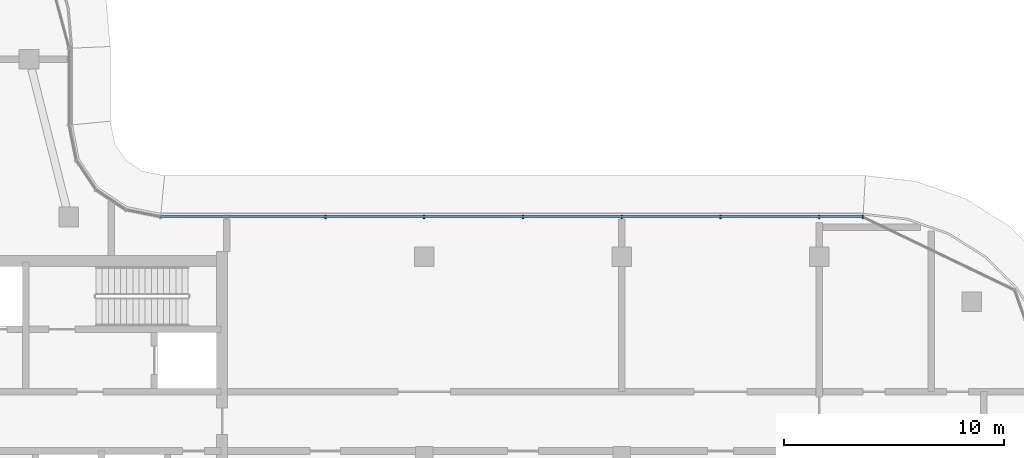
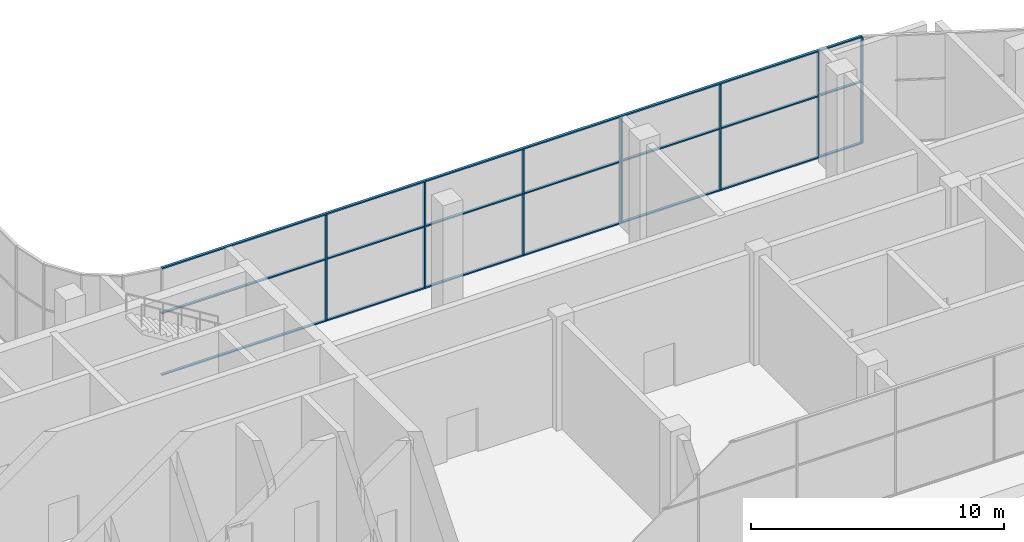
# One storey, part 7 of 23: 10 members, 1 element without a shape of its own.
"""IFC4 building model written with IfcOpenShell, lengths in metres."""

import ifcopenshell
import ifcopenshell.guid

model = None  # the IFC model being written
_history = None  # IfcOwnerHistory: only IFC2X3 demands one
_inside = {}  # id of a spatial element -> (the spatial element, [elements in it])
_under = {}  # id of a project, library or spatial element -> (it, [spatial elements below it])
_declared = {}  # id of a project -> (the project, [libraries it declares])
_typed = {}  # id of a type object -> (the type object, [elements of that type])
_made_of = {}  # id of a material, layer set ... -> (it, [elements and type objects made of it])


def new_model(schema):
    """Start an empty IFC model of exactly this schema.

    Asked for "IFC4X3", IfcOpenShell would pick the latest addendum, in which some entities
    have other attributes; the version numbers below select the first issue.
    IFC2X3 requires an IfcOwnerHistory on every rooted entity: one is made here for all.
    """
    global model, _history
    if schema == "IFC4X3":
        model = ifcopenshell.file(schema_version=(4, 3, 0, 0))
    else:
        model = ifcopenshell.file(schema=schema)
    _inside.clear()
    _under.clear()
    _declared.clear()
    _typed.clear()
    _made_of.clear()
    _history = None
    if model.schema == "IFC2X3":
        org = make("IfcOrganization", Name="unknown")
        user = make(
            "IfcPersonAndOrganization",
            ThePerson=make("IfcPerson", FamilyName="unknown"),
            TheOrganization=org,
        )
        app = make(
            "IfcApplication",
            ApplicationDeveloper=org,
            Version="unknown",
            ApplicationFullName="unknown",
            ApplicationIdentifier="unknown",
        )
        _history = make(
            "IfcOwnerHistory",
            OwningUser=user,
            OwningApplication=app,
            ChangeAction="ADDED",
            CreationDate=0,
        )
    return model


def make(cls, **values):
    """One entity of the class cls with the attributes given. An attribute that is None is left unset."""
    return model.create_entity(
        cls, **{name: value for name, value in values.items() if value is not None}
    )


def rooted(cls, **values):
    """An entity with a GlobalId (a new one), such as an element, a storey or a relation."""
    return make(cls, GlobalId=ifcopenshell.guid.new(), OwnerHistory=_history, **values)


def si_unit(unit_type, name, prefix=None):
    """IfcSIUnit, for example si_unit("LENGTHUNIT", "METRE", prefix="MILLI")."""
    return make("IfcSIUnit", UnitType=unit_type, Prefix=prefix, Name=name)


def assignment(units):
    """IfcUnitAssignment: the units of a project."""
    return None if units is None else make("IfcUnitAssignment", Units=units)


def point(xyz):
    """IfcCartesianPoint."""
    return None if xyz is None else make("IfcCartesianPoint", Coordinates=xyz)


def direction(xyz):
    """IfcDirection."""
    return None if xyz is None else make("IfcDirection", DirectionRatios=xyz)


def frame(location, z_axis=None, x_axis=None):
    """IfcAxis2Placement3D, a coordinate frame: its origin and axes. An axis left out is left unset."""
    return make(
        "IfcAxis2Placement3D",
        Location=point(location),
        Axis=direction(z_axis),
        RefDirection=direction(x_axis),
    )


def frame_2d(location, x_axis=None):
    """IfcAxis2Placement2D, a coordinate frame in the plane: its origin and x axis."""
    return make(
        "IfcAxis2Placement2D", Location=point(location), RefDirection=direction(x_axis)
    )


def origin():
    """The frame at (0, 0, 0) with its axes left unset."""
    return frame((0.0, 0.0, 0.0))


def origin_2d():
    """The frame at (0, 0) in the plane with its x axis left unset."""
    return frame_2d((0.0, 0.0))


def place(relative_to, where):
    """IfcLocalPlacement: puts the frame where relative to a parent placement (None: the world)."""
    return make(
        "IfcLocalPlacement", PlacementRelTo=relative_to, RelativePlacement=where
    )


def context(
    kind, dimensions, precision=None, world=None, true_north=None, identifier=None
):
    """IfcGeometricRepresentationContext, for example the 3D "Model" context."""
    return make(
        "IfcGeometricRepresentationContext",
        ContextIdentifier=identifier,
        ContextType=kind,
        CoordinateSpaceDimension=dimensions,
        Precision=precision,
        WorldCoordinateSystem=world,
        TrueNorth=true_north,
    )


def subcontext(parent, identifier, kind, view, scale=None):
    """IfcGeometricRepresentationSubContext, for example "Body" below "Model"."""
    return make(
        "IfcGeometricRepresentationSubContext",
        ContextIdentifier=identifier,
        ContextType=kind,
        ParentContext=parent,
        TargetScale=scale,
        TargetView=view,
    )


def project(units=None, contexts=None):
    """IfcProject with its units and contexts."""
    return rooted(
        "IfcProject",
        Name="project",
        RepresentationContexts=contexts,
        UnitsInContext=assignment(units),
    )


def spatial(cls, under=None, at=None, **own):
    """A site, building, storey or space (cls), placed at a placement, below another one or the project."""
    s = rooted(cls, ObjectPlacement=at, **own)
    if under is not None:
        _under.setdefault(under.id(), (under, []))[1].append(s)
    return s


def profile(cls, at=None, kind="AREA", **sizes):
    """A parametric profile (cls). Its sizes go by their IFC names, for example OverallWidth=200.0."""
    return make(cls, ProfileType=kind, Position=at, **sizes)


def rectangle(**sizes):
    """IfcRectangleProfileDef."""
    return profile("IfcRectangleProfileDef", **sizes)


def extrude(swept, where, along, depth):
    """IfcExtrudedAreaSolid: the profile swept, set in the frame where, extruded along a direction by depth."""
    return make(
        "IfcExtrudedAreaSolid",
        SweptArea=swept,
        Position=where,
        ExtrudedDirection=direction(along),
        Depth=depth,
    )


def shape(context_of_items, identifier, shape_type, items):
    """IfcShapeRepresentation: the items that make up one representation, for example the "Body"."""
    return make(
        "IfcShapeRepresentation",
        ContextOfItems=context_of_items,
        RepresentationIdentifier=identifier,
        RepresentationType=shape_type,
        Items=items,
    )


def material(Name=None, Category=None):
    """IfcMaterial."""
    return make("IfcMaterial", Name=Name, Category=Category)


def material_profile(
    of_material, cross_section, Name=None, Category=None, Priority=None
):
    """IfcMaterialProfile: a cross section and its material."""
    return make(
        "IfcMaterialProfile",
        Name=Name,
        Material=of_material,
        Profile=cross_section,
        Priority=Priority,
        Category=Category,
    )


def profile_set(profiles, Name=None, composite=None):
    """IfcMaterialProfileSet."""
    return make(
        "IfcMaterialProfileSet",
        Name=Name,
        MaterialProfiles=profiles,
        CompositeProfile=composite,
    )


def made_of(thing, what):
    """Note that an element or type object is made of a material, layer set ...; save() writes the relation."""
    if what is not None:
        _made_of.setdefault(what.id(), (what, []))[1].append(thing)
    return thing


def type_object(cls, material=None, **own):
    """A type object (cls), such as IfcWallType, which elements share."""
    return made_of(rooted(cls, **own), material)


def element(
    cls,
    number,
    at=None,
    inside=None,
    cuts=None,
    type_object=None,
    material=None,
    context=None,
    identifier="Body",
    shape_type=None,
    held_by="IfcProductDefinitionShape",
    body=None,
    shapes=None,
    **own,
):
    """One element of the class cls, such as IfcWall. Its Tag is "e" and its number.

    at: its placement. inside: the storey or other place that contains it. cuts: it is an
    opening in that element (IfcRelVoidsElement). A single representation is given by context,
    identifier, shape_type and body (its items); several are given by shapes. held_by: the class
    of the entity that holds the representations. save() writes the other relations.
    """
    e = rooted(cls, Tag="e%d" % number, ObjectPlacement=at, **own)
    if body is not None:
        shapes = [shape(context, identifier, shape_type, body)]
    if shapes is not None:
        e.Representation = make(held_by, Representations=shapes)
    if inside is not None:
        _inside.setdefault(inside.id(), (inside, []))[1].append(e)
    if cuts is not None:
        rooted(
            "IfcRelVoidsElement", RelatingBuildingElement=cuts, RelatedOpeningElement=e
        )
    if type_object is not None:
        _typed.setdefault(type_object.id(), (type_object, []))[1].append(e)
    return made_of(e, material)


def aggregate(whole, parts):
    """IfcRelAggregates: a whole, such as a stair, and the parts it consists of."""
    return rooted("IfcRelAggregates", RelatingObject=whole, RelatedObjects=parts)


def save(model, path):
    """Write the relations noted so far, then the file.

    IfcRelAggregates (storeys below a building ...), IfcRelContainedInSpatialStructure (elements
    in a storey), IfcRelDefinesByType, IfcRelAssociatesMaterial and IfcRelDeclares: one each for
    every whole, place, type object, material and project.
    """
    for whole, parts in _under.values():
        aggregate(whole, parts)
    for where, things in _inside.values():
        rooted(
            "IfcRelContainedInSpatialStructure",
            RelatedElements=things,
            RelatingStructure=where,
        )
    for kind, things in _typed.values():
        rooted("IfcRelDefinesByType", RelatedObjects=things, RelatingType=kind)
    for what, things in _made_of.values():
        rooted("IfcRelAssociatesMaterial", RelatedObjects=things, RelatingMaterial=what)
    for by, libraries in _declared.values():
        rooted("IfcRelDeclares", RelatingContext=by, RelatedDefinitions=libraries)
    model.write(path)


model = new_model("IFC4")

# Units and contexts
model_context = context("Model", 3, precision=1e-05, world=origin(), true_north=direction((0.0, 1.0)))
body_context = subcontext(model_context, "Body", "Model", "MODEL_VIEW")
ifc_project = project(units=[si_unit("LENGTHUNIT", "METRE"), si_unit("AREAUNIT", "SQUARE_METRE"), si_unit("VOLUMEUNIT", "CUBIC_METRE"), si_unit("PLANEANGLEUNIT", "RADIAN"), si_unit("MASSUNIT", "GRAM", prefix="KILO")], contexts=[model_context])

# Site, building, storey
site_placement = place(None, origin())
site = spatial("IfcSite", under=ifc_project, at=site_placement, CompositionType="ELEMENT")
building_placement = place(site_placement, origin())
building = spatial("IfcBuilding", under=site, at=building_placement, Name="Ogive Portal Towers", CompositionType="ELEMENT")
storey_placement = place(building_placement, frame((0.0, 0.0, 249.39990234375)))
storey = spatial("IfcBuildingStorey", under=building, at=storey_placement, Name="L62", CompositionType="ELEMENT", Elevation=249.39990234375)

# Curtain wall, members
ifc_material_1 = material(Name="Glass, clear low-iron insulated glazing", Category="glass")
curtain_wall_type = type_object("IfcCurtainWallType", Name="CW OBSERVATION WALL", PredefinedType="NOTDEFINED", material=ifc_material_1)
curtain_wall_placement = place(storey_placement, origin())
curtain_wall = element("IfcCurtainWall", 1, at=curtain_wall_placement, inside=storey, type_object=curtain_wall_type, Name="A:L62:f13:cw0", PredefinedType="NOTDEFINED")
ifc_material_2 = material(Name="Aluminium 6063 anodised", Category="aluminium")
ifc_material_profile_1 = material_profile(ifc_material_2, rectangle(XDim=0.159912109375, YDim=0.06005859375, at=origin_2d()), Name="AL 60x160")
ifc_profile_set_1 = profile_set([ifc_material_profile_1], Name="Aluminium 6063 anodised")
member_type_1 = type_object("IfcMemberType", Name="CW MULLION 60x160", PredefinedType="MULLION", material=ifc_profile_set_1)
member_1_placement = place(storey_placement, frame((87.481689453125, 41.320068359375, 0.06005859375), z_axis=(0.0, 0.0, 1.0), x_axis=(0.0, -1.0, 0.0)))
member_1 = element("IfcMember", 2, at=member_1_placement, type_object=member_type_1, Name="mullion", PredefinedType="MULLION", context=body_context, shape_type="SweptSolid", body=[
    extrude(rectangle(XDim=0.159912109375, YDim=0.06005859375, at=origin_2d()), origin(), (0.0, 0.0, 1.0), 5.080078125),
])
member_2_placement = place(storey_placement, frame((85.5, 41.320068359375, 0.06005859375), z_axis=(0.0, 0.0, 1.0), x_axis=(0.0, -1.0, 0.0)))
member_2 = element("IfcMember", 3, at=member_2_placement, type_object=member_type_1, Name="mullion", PredefinedType="MULLION", context=body_context, shape_type="SweptSolid", body=[
    extrude(rectangle(XDim=0.159912109375, YDim=0.06005859375, at=origin_2d()), origin(), (0.0, 0.0, 1.0), 5.080078125),
])
member_3_placement = place(storey_placement, frame((81.0, 41.320068359375, 0.06005859375), z_axis=(0.0, 0.0, 1.0), x_axis=(0.0, -1.0, 0.0)))
member_3 = element("IfcMember", 4, at=member_3_placement, type_object=member_type_1, Name="mullion", PredefinedType="MULLION", context=body_context, shape_type="SweptSolid", body=[
    extrude(rectangle(XDim=0.159912109375, YDim=0.06005859375, at=origin_2d()), origin(), (0.0, 0.0, 1.0), 5.080078125),
])
member_4_placement = place(storey_placement, frame((76.5, 41.320068359375, 0.06005859375), z_axis=(0.0, 0.0, 1.0), x_axis=(0.0, -1.0, 0.0)))
member_4 = element("IfcMember", 5, at=member_4_placement, type_object=member_type_1, Name="mullion", PredefinedType="MULLION", context=body_context, shape_type="SweptSolid", body=[
    extrude(rectangle(XDim=0.159912109375, YDim=0.06005859375, at=origin_2d()), origin(), (0.0, 0.0, 1.0), 5.080078125),
])
member_5_placement = place(storey_placement, frame((72.0, 41.320068359375, 0.06005859375), z_axis=(0.0, 0.0, 1.0), x_axis=(0.0, -1.0, 0.0)))
member_5 = element("IfcMember", 6, at=member_5_placement, type_object=member_type_1, Name="mullion", PredefinedType="MULLION", context=body_context, shape_type="SweptSolid", body=[
    extrude(rectangle(XDim=0.159912109375, YDim=0.06005859375, at=origin_2d()), origin(), (0.0, 0.0, 1.0), 5.080078125),
])
member_6_placement = place(storey_placement, frame((67.5, 41.320068359375, 0.06005859375), z_axis=(0.0, 0.0, 1.0), x_axis=(0.0, -1.0, 0.0)))
member_6 = element("IfcMember", 7, at=member_6_placement, type_object=member_type_1, Name="mullion", PredefinedType="MULLION", context=body_context, shape_type="SweptSolid", body=[
    extrude(rectangle(XDim=0.159912109375, YDim=0.06005859375, at=origin_2d()), origin(), (0.0, 0.0, 1.0), 5.080078125),
])
member_7_placement = place(storey_placement, frame((63.0, 41.320068359375, 0.06005859375), z_axis=(0.0, 0.0, 1.0), x_axis=(0.0, -1.0, 0.0)))
member_7 = element("IfcMember", 8, at=member_7_placement, type_object=member_type_1, Name="mullion", PredefinedType="MULLION", context=body_context, shape_type="SweptSolid", body=[
    extrude(rectangle(XDim=0.159912109375, YDim=0.06005859375, at=origin_2d()), origin(), (0.0, 0.0, 1.0), 5.080078125),
])
ifc_material_profile_2 = material_profile(ifc_material_2, rectangle(XDim=0.1201171875, YDim=0.06005859375, at=origin_2d()), Name="AL 120x60")
ifc_profile_set_2 = profile_set([ifc_material_profile_2], Name="Aluminium 6063 anodised")
member_type_2 = type_object("IfcMemberType", Name="CW TRANSOM 60x120", PredefinedType="USERDEFINED", material=ifc_profile_set_2)
member_8_placement = place(storey_placement, frame((87.481689453125, 41.320068359375, 0.030029296875), z_axis=(-1.0, 0.0, 0.0), x_axis=(0.0, -1.0, 0.0)))
member_8 = element("IfcMember", 9, at=member_8_placement, type_object=member_type_2, Name="transom", ObjectType="TRANSOM", PredefinedType="USERDEFINED", context=body_context, shape_type="SweptSolid", body=[
    extrude(rectangle(XDim=0.1201171875, YDim=0.06005859375, at=origin_2d()), origin(), (0.0, 0.0, 1.0), 31.989501953125),
])
member_9_placement = place(storey_placement, frame((87.481689453125, 41.320068359375, 3.0), z_axis=(-1.0, 0.0, 0.0), x_axis=(0.0, -1.0, 0.0)))
member_9 = element("IfcMember", 10, at=member_9_placement, type_object=member_type_2, Name="transom", ObjectType="TRANSOM", PredefinedType="USERDEFINED", context=body_context, shape_type="SweptSolid", body=[
    extrude(rectangle(XDim=0.1201171875, YDim=0.06005859375, at=origin_2d()), origin(), (0.0, 0.0, 1.0), 31.989501953125),
])
member_10_placement = place(storey_placement, frame((87.481689453125, 41.320068359375, 5.170166015625), z_axis=(-1.0, 0.0, 0.0), x_axis=(0.0, -1.0, 0.0)))
member_10 = element("IfcMember", 11, at=member_10_placement, type_object=member_type_2, Name="transom", ObjectType="TRANSOM", PredefinedType="USERDEFINED", context=body_context, shape_type="SweptSolid", body=[
    extrude(rectangle(XDim=0.1201171875, YDim=0.06005859375, at=origin_2d()), origin(), (0.0, 0.0, 1.0), 31.989501953125),
])
aggregate(curtain_wall, [member_8, member_9, member_10, member_1, member_2, member_3, member_4, member_5, member_6, member_7])

save(model, "model.ifc")
